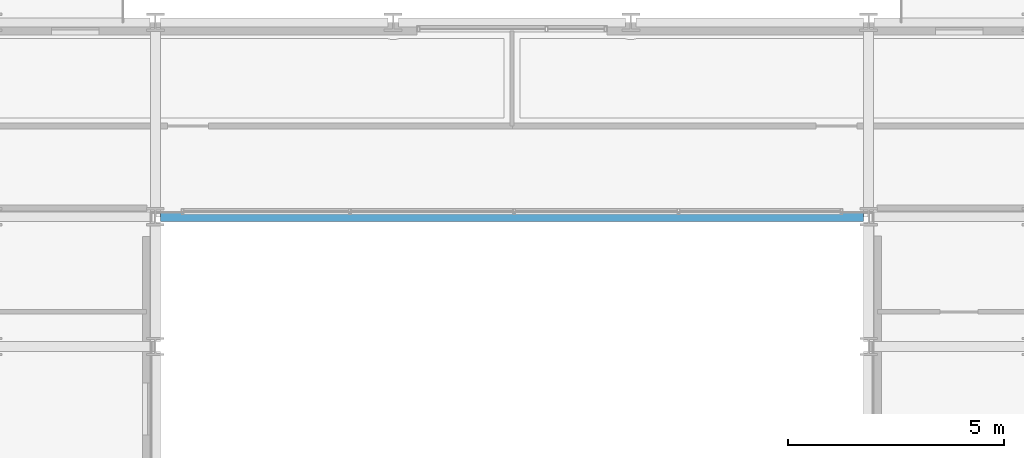
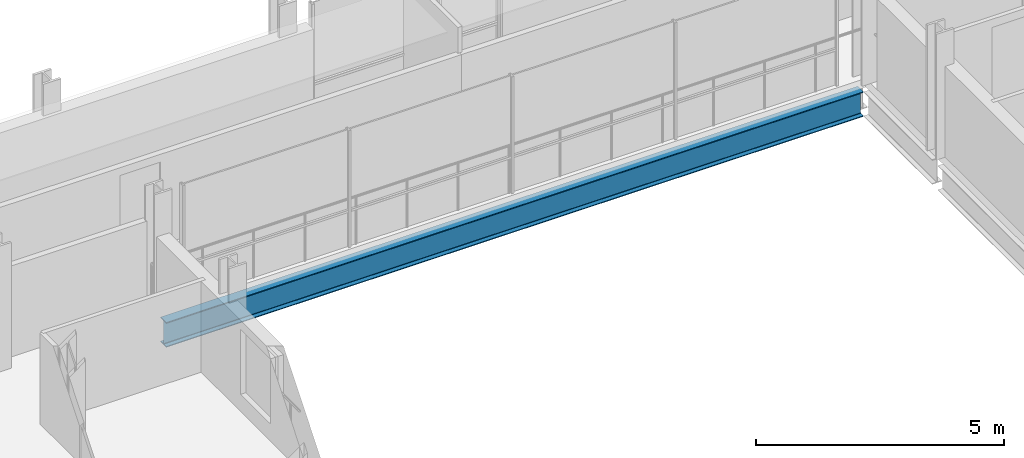
# One storey, part 10 of 41: 1 beam.
"""IFC4 building model written with IfcOpenShell, lengths in metres."""

from ifc_helpers import new_model, si_unit, direction, frame, origin, origin_2d, place, context, subcontext, project, spatial, i_section, extrude, material, material_profile, profile_set, type_object, element, save


model = new_model("IFC4")

# Units and contexts
model_context = context("Model", 3, precision=1e-05, world=origin(), true_north=direction((0.0, 1.0)))
body_context = subcontext(model_context, "Body", "Model", "MODEL_VIEW")
ifc_project = project(units=[si_unit("LENGTHUNIT", "METRE"), si_unit("AREAUNIT", "SQUARE_METRE"), si_unit("VOLUMEUNIT", "CUBIC_METRE"), si_unit("PLANEANGLEUNIT", "RADIAN"), si_unit("MASSUNIT", "GRAM", prefix="KILO")], contexts=[model_context])

# Site, building, storey
site_placement = place(None, origin())
site = spatial("IfcSite", under=ifc_project, at=site_placement, CompositionType="ELEMENT")
building_placement = place(site_placement, origin())
building = spatial("IfcBuilding", under=site, at=building_placement, Name="Brevholm Reach", CompositionType="ELEMENT")
storey_placement = place(building_placement, frame((0.0, 0.0, 100.39990234375)))
storey = spatial("IfcBuildingStorey", under=building, at=storey_placement, Name="L29", CompositionType="ELEMENT", Elevation=100.39990234375)

# Beam
ifc_material = material(Name="Structural Steel S355J2", Category="steel")
ifc_material_profile = material_profile(ifc_material, i_section(OverallWidth=0.22900390625, OverallDepth=0.6123046875, WebThickness=0.011962890625, FlangeThickness=0.01953125, FilletRadius=0.0126953125, at=origin_2d()), Name="UKB 610x229x125")
ifc_profile_set = profile_set([ifc_material_profile], Name="Structural Steel S355J2")
beam_type = type_object("IfcBeamType", Name="BM-SP610", PredefinedType="SPANDREL", material=ifc_profile_set)
beam_placement = place(storey_placement, frame((21.8701171875, 26.5, -0.526123046875), z_axis=(1.0, 0.0, 0.0), x_axis=(0.0, 1.0, 0.0)))
element("IfcBeam", 1, at=beam_placement, inside=storey, type_object=beam_type, Name="L29 SP-01 Framing Beam", PredefinedType="SPANDREL", context=body_context, shape_type="SweptSolid", body=[
    extrude(i_section(OverallWidth=0.22900390625, OverallDepth=0.6123046875, WebThickness=0.011962890625, FlangeThickness=0.01953125, FilletRadius=0.0126953125, at=origin_2d()), origin(), (0.0, 0.0, 1.0), 16.259765625),
])

save(model, "model.ifc")
